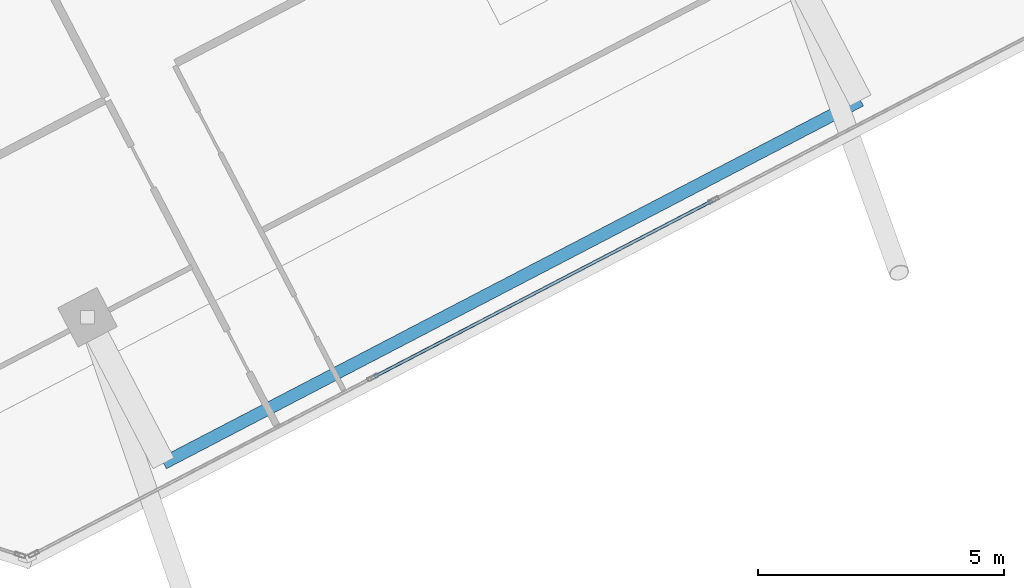
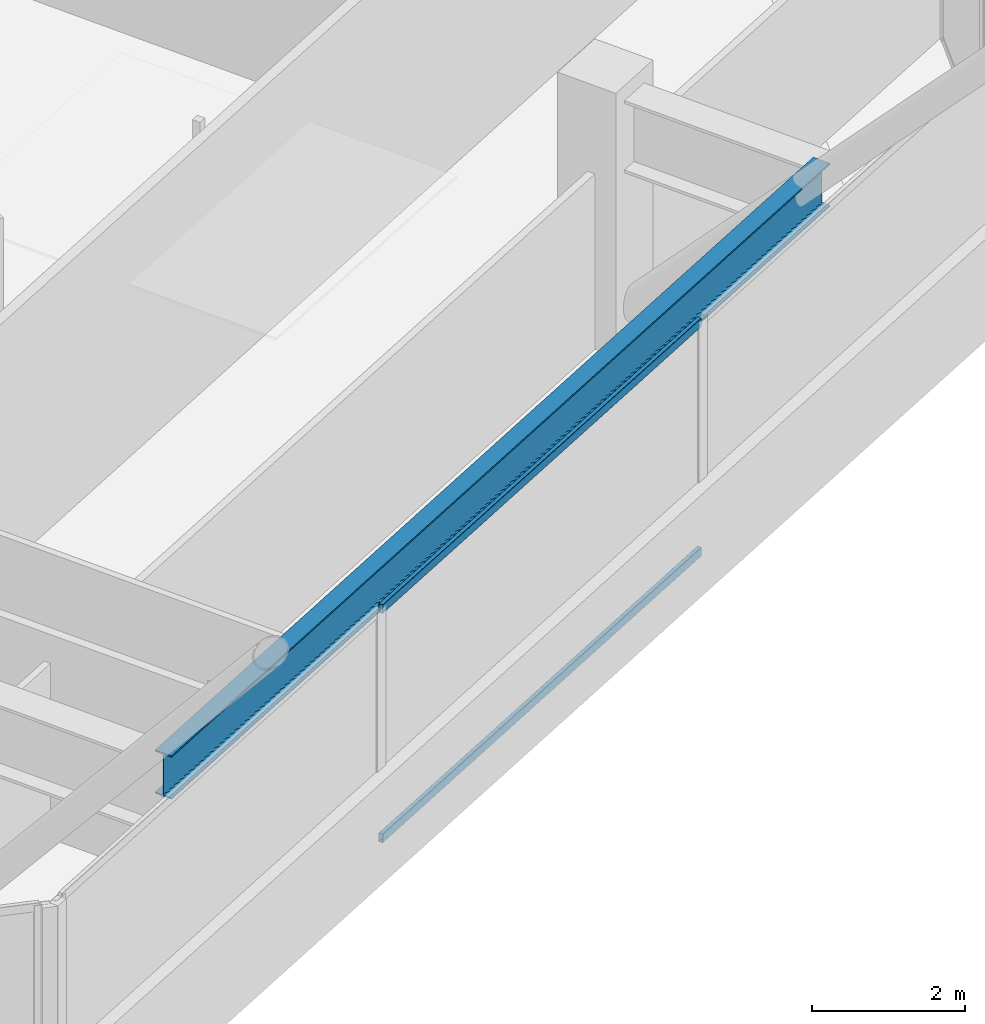
# One storey, part 4 of 17: 2 members, 1 beam, 1 element without a shape of its own.
"""IFC4 building model written with IfcOpenShell, lengths in metres."""

import ifcopenshell
import ifcopenshell.guid

model = None  # the IFC model being written
_history = None  # IfcOwnerHistory: only IFC2X3 demands one
_inside = {}  # id of a spatial element -> (the spatial element, [elements in it])
_under = {}  # id of a project, library or spatial element -> (it, [spatial elements below it])
_declared = {}  # id of a project -> (the project, [libraries it declares])
_typed = {}  # id of a type object -> (the type object, [elements of that type])
_made_of = {}  # id of a material, layer set ... -> (it, [elements and type objects made of it])


def new_model(schema):
    """Start an empty IFC model of exactly this schema.

    Asked for "IFC4X3", IfcOpenShell would pick the latest addendum, in which some entities
    have other attributes; the version numbers below select the first issue.
    IFC2X3 requires an IfcOwnerHistory on every rooted entity: one is made here for all.
    """
    global model, _history
    if schema == "IFC4X3":
        model = ifcopenshell.file(schema_version=(4, 3, 0, 0))
    else:
        model = ifcopenshell.file(schema=schema)
    _inside.clear()
    _under.clear()
    _declared.clear()
    _typed.clear()
    _made_of.clear()
    _history = None
    if model.schema == "IFC2X3":
        org = make("IfcOrganization", Name="unknown")
        user = make(
            "IfcPersonAndOrganization",
            ThePerson=make("IfcPerson", FamilyName="unknown"),
            TheOrganization=org,
        )
        app = make(
            "IfcApplication",
            ApplicationDeveloper=org,
            Version="unknown",
            ApplicationFullName="unknown",
            ApplicationIdentifier="unknown",
        )
        _history = make(
            "IfcOwnerHistory",
            OwningUser=user,
            OwningApplication=app,
            ChangeAction="ADDED",
            CreationDate=0,
        )
    return model


def make(cls, **values):
    """One entity of the class cls with the attributes given. An attribute that is None is left unset."""
    return model.create_entity(
        cls, **{name: value for name, value in values.items() if value is not None}
    )


def rooted(cls, **values):
    """An entity with a GlobalId (a new one), such as an element, a storey or a relation."""
    return make(cls, GlobalId=ifcopenshell.guid.new(), OwnerHistory=_history, **values)


def si_unit(unit_type, name, prefix=None):
    """IfcSIUnit, for example si_unit("LENGTHUNIT", "METRE", prefix="MILLI")."""
    return make("IfcSIUnit", UnitType=unit_type, Prefix=prefix, Name=name)


def assignment(units):
    """IfcUnitAssignment: the units of a project."""
    return None if units is None else make("IfcUnitAssignment", Units=units)


def point(xyz):
    """IfcCartesianPoint."""
    return None if xyz is None else make("IfcCartesianPoint", Coordinates=xyz)


def direction(xyz):
    """IfcDirection."""
    return None if xyz is None else make("IfcDirection", DirectionRatios=xyz)


def frame(location, z_axis=None, x_axis=None):
    """IfcAxis2Placement3D, a coordinate frame: its origin and axes. An axis left out is left unset."""
    return make(
        "IfcAxis2Placement3D",
        Location=point(location),
        Axis=direction(z_axis),
        RefDirection=direction(x_axis),
    )


def frame_2d(location, x_axis=None):
    """IfcAxis2Placement2D, a coordinate frame in the plane: its origin and x axis."""
    return make(
        "IfcAxis2Placement2D", Location=point(location), RefDirection=direction(x_axis)
    )


def origin():
    """The frame at (0, 0, 0) with its axes left unset."""
    return frame((0.0, 0.0, 0.0))


def origin_2d():
    """The frame at (0, 0) in the plane with its x axis left unset."""
    return frame_2d((0.0, 0.0))


def place(relative_to, where):
    """IfcLocalPlacement: puts the frame where relative to a parent placement (None: the world)."""
    return make(
        "IfcLocalPlacement", PlacementRelTo=relative_to, RelativePlacement=where
    )


def context(
    kind, dimensions, precision=None, world=None, true_north=None, identifier=None
):
    """IfcGeometricRepresentationContext, for example the 3D "Model" context."""
    return make(
        "IfcGeometricRepresentationContext",
        ContextIdentifier=identifier,
        ContextType=kind,
        CoordinateSpaceDimension=dimensions,
        Precision=precision,
        WorldCoordinateSystem=world,
        TrueNorth=true_north,
    )


def subcontext(parent, identifier, kind, view, scale=None):
    """IfcGeometricRepresentationSubContext, for example "Body" below "Model"."""
    return make(
        "IfcGeometricRepresentationSubContext",
        ContextIdentifier=identifier,
        ContextType=kind,
        ParentContext=parent,
        TargetScale=scale,
        TargetView=view,
    )


def project(units=None, contexts=None):
    """IfcProject with its units and contexts."""
    return rooted(
        "IfcProject",
        Name="project",
        RepresentationContexts=contexts,
        UnitsInContext=assignment(units),
    )


def spatial(cls, under=None, at=None, **own):
    """A site, building, storey or space (cls), placed at a placement, below another one or the project."""
    s = rooted(cls, ObjectPlacement=at, **own)
    if under is not None:
        _under.setdefault(under.id(), (under, []))[1].append(s)
    return s


def profile(cls, at=None, kind="AREA", **sizes):
    """A parametric profile (cls). Its sizes go by their IFC names, for example OverallWidth=200.0."""
    return make(cls, ProfileType=kind, Position=at, **sizes)


def hollow_rectangle(**sizes):
    """IfcRectangleHollowProfileDef."""
    return profile("IfcRectangleHollowProfileDef", **sizes)


def i_section(**sizes):
    """IfcIShapeProfileDef."""
    return profile("IfcIShapeProfileDef", **sizes)


def extrude(swept, where, along, depth):
    """IfcExtrudedAreaSolid: the profile swept, set in the frame where, extruded along a direction by depth."""
    return make(
        "IfcExtrudedAreaSolid",
        SweptArea=swept,
        Position=where,
        ExtrudedDirection=direction(along),
        Depth=depth,
    )


def shape(context_of_items, identifier, shape_type, items):
    """IfcShapeRepresentation: the items that make up one representation, for example the "Body"."""
    return make(
        "IfcShapeRepresentation",
        ContextOfItems=context_of_items,
        RepresentationIdentifier=identifier,
        RepresentationType=shape_type,
        Items=items,
    )


def source(mapping_origin, context_of_items, identifier, shape_type, items):
    """IfcRepresentationMap: a shape defined once, which mapped items show again and again."""
    return make(
        "IfcRepresentationMap",
        MappingOrigin=mapping_origin,
        MappedRepresentation=shape(context_of_items, identifier, shape_type, items),
    )


def transform(
    local_origin,
    x_axis=None,
    y_axis=None,
    z_axis=None,
    scale=None,
    scale2=None,
    scale3=None,
    uniform=True,
):
    """IfcCartesianTransformationOperator3D, or its non-uniform kind. x_axis, y_axis, z_axis: its Axis1, 2, 3."""
    if uniform:
        return make(
            "IfcCartesianTransformationOperator3D",
            Axis1=direction(x_axis),
            Axis2=direction(y_axis),
            LocalOrigin=point(local_origin),
            Scale=scale,
            Axis3=direction(z_axis),
        )
    return make(
        "IfcCartesianTransformationOperator3DnonUniform",
        Axis1=direction(x_axis),
        Axis2=direction(y_axis),
        LocalOrigin=point(local_origin),
        Scale=scale,
        Axis3=direction(z_axis),
        Scale2=scale2,
        Scale3=scale3,
    )


def mapped(mapping_source, mapping_target):
    """IfcMappedItem: shows the shape of a source again, moved by a transform."""
    return make(
        "IfcMappedItem", MappingSource=mapping_source, MappingTarget=mapping_target
    )


def material(Name=None, Category=None):
    """IfcMaterial."""
    return make("IfcMaterial", Name=Name, Category=Category)


def material_profile(
    of_material, cross_section, Name=None, Category=None, Priority=None
):
    """IfcMaterialProfile: a cross section and its material."""
    return make(
        "IfcMaterialProfile",
        Name=Name,
        Material=of_material,
        Profile=cross_section,
        Priority=Priority,
        Category=Category,
    )


def profile_set(profiles, Name=None, composite=None):
    """IfcMaterialProfileSet."""
    return make(
        "IfcMaterialProfileSet",
        Name=Name,
        MaterialProfiles=profiles,
        CompositeProfile=composite,
    )


def made_of(thing, what):
    """Note that an element or type object is made of a material, layer set ...; save() writes the relation."""
    if what is not None:
        _made_of.setdefault(what.id(), (what, []))[1].append(thing)
    return thing


def type_object(cls, material=None, **own):
    """A type object (cls), such as IfcWallType, which elements share."""
    return made_of(rooted(cls, **own), material)


def element(
    cls,
    number,
    at=None,
    inside=None,
    cuts=None,
    type_object=None,
    material=None,
    context=None,
    identifier="Body",
    shape_type=None,
    held_by="IfcProductDefinitionShape",
    body=None,
    shapes=None,
    **own,
):
    """One element of the class cls, such as IfcWall. Its Tag is "e" and its number.

    at: its placement. inside: the storey or other place that contains it. cuts: it is an
    opening in that element (IfcRelVoidsElement). A single representation is given by context,
    identifier, shape_type and body (its items); several are given by shapes. held_by: the class
    of the entity that holds the representations. save() writes the other relations.
    """
    e = rooted(cls, Tag="e%d" % number, ObjectPlacement=at, **own)
    if body is not None:
        shapes = [shape(context, identifier, shape_type, body)]
    if shapes is not None:
        e.Representation = make(held_by, Representations=shapes)
    if inside is not None:
        _inside.setdefault(inside.id(), (inside, []))[1].append(e)
    if cuts is not None:
        rooted(
            "IfcRelVoidsElement", RelatingBuildingElement=cuts, RelatedOpeningElement=e
        )
    if type_object is not None:
        _typed.setdefault(type_object.id(), (type_object, []))[1].append(e)
    return made_of(e, material)


def aggregate(whole, parts):
    """IfcRelAggregates: a whole, such as a stair, and the parts it consists of."""
    return rooted("IfcRelAggregates", RelatingObject=whole, RelatedObjects=parts)


def save(model, path):
    """Write the relations noted so far, then the file.

    IfcRelAggregates (storeys below a building ...), IfcRelContainedInSpatialStructure (elements
    in a storey), IfcRelDefinesByType, IfcRelAssociatesMaterial and IfcRelDeclares: one each for
    every whole, place, type object, material and project.
    """
    for whole, parts in _under.values():
        aggregate(whole, parts)
    for where, things in _inside.values():
        rooted(
            "IfcRelContainedInSpatialStructure",
            RelatedElements=things,
            RelatingStructure=where,
        )
    for kind, things in _typed.values():
        rooted("IfcRelDefinesByType", RelatedObjects=things, RelatingType=kind)
    for what, things in _made_of.values():
        rooted("IfcRelAssociatesMaterial", RelatedObjects=things, RelatingMaterial=what)
    for by, libraries in _declared.values():
        rooted("IfcRelDeclares", RelatingContext=by, RelatedDefinitions=libraries)
    model.write(path)


model = new_model("IFC4")

# Units and contexts
model_context = context("Model", 3, precision=1e-05, world=origin(), true_north=direction((0.0, 1.0)))
body_context = subcontext(model_context, "Body", "Model", "MODEL_VIEW")
ifc_project = project(units=[si_unit("LENGTHUNIT", "METRE"), si_unit("AREAUNIT", "SQUARE_METRE"), si_unit("VOLUMEUNIT", "CUBIC_METRE"), si_unit("PLANEANGLEUNIT", "RADIAN"), si_unit("MASSUNIT", "GRAM", prefix="KILO")], contexts=[model_context])

# Site, building, storey
site_placement = place(None, origin())
site = spatial("IfcSite", under=ifc_project, at=site_placement, CompositionType="ELEMENT")
building_placement = place(site_placement, origin())
building = spatial("IfcBuilding", under=site, at=building_placement, Name="Torre Montelarca", CompositionType="ELEMENT")
storey_placement = place(building_placement, frame((0.0, 0.0, 332.39990234375)))
storey = spatial("IfcBuildingStorey", under=building, at=storey_placement, Name="L75", CompositionType="ELEMENT", Elevation=332.39990234375)

# Beam
ifc_material_1 = material(Name="Steel ASTM A992 Grade 50", Category="steel")
ifc_material_profile_1 = material_profile(ifc_material_1, i_section(OverallWidth=0.256103515625, OverallDepth=0.693115234375, WebThickness=0.014404296875, FlangeThickness=0.023681640625, FilletRadius=0.01806640625, at=origin_2d()), Name="W690X170", Category="steel")
ifc_profile_set_1 = profile_set([ifc_material_profile_1], Name="Steel ASTM A992 Grade 50")
beam_type = type_object("IfcBeamType", Name="BM-G-W690-EXT", PredefinedType="BEAM", material=ifc_profile_set_1)
shared_shape_1 = source(origin(), body_context, "Body", "SweptSolid", [
    extrude(i_section(OverallWidth=0.256103515625, OverallDepth=0.693115234375, WebThickness=0.014404296875, FlangeThickness=0.023681640625, FilletRadius=0.01806640625, at=origin_2d()), origin(), (0.0, 0.0, 1.0), 16.000244140625),
])
beam_placement = place(storey_placement, frame((22.64599609375, 12.472900390625, 3.614013671875), z_axis=(0.88701460653, 0.461741364622, 0.0), x_axis=(-0.461741364622, 0.88701460653, 0.0)))
element("IfcBeam", 1, at=beam_placement, inside=storey, type_object=beam_type, Name="L75 Sliding Tray Edge Girder East 24-40m (FLR)", PredefinedType="BEAM", context=body_context, shape_type="MappedRepresentation", body=[
    mapped(shared_shape_1, transform((0.0, 0.0, 0.0), scale=1.0)),
])

# Curtain wall, members
ifc_material_2 = material(Name="Insulated low-E laminated glass", Category="glass")
curtain_wall_type = type_object("IfcCurtainWallType", Name="CW-SYS-Z4", PredefinedType="USERDEFINED", material=ifc_material_2)
curtain_wall_placement = place(storey_placement, origin())
curtain_wall = element("IfcCurtainWall", 2, at=curtain_wall_placement, inside=storey, type_object=curtain_wall_type, Name="L75 Curtain Wall Run CW-T3-L75-E06-B1", ObjectType="UNITISED GLAZING", PredefinedType="USERDEFINED")
ifc_material_3 = material(Name="Anodised aluminium AA 6063-T6", Category="aluminium")
ifc_material_profile_2 = material_profile(ifc_material_3, hollow_rectangle(XDim=0.06494140625, YDim=0.139892578125, WallThickness=0.00390625, InnerFilletRadius=0.00390625, OuterFilletRadius=0.008056640625, at=origin_2d()), Name="ALU65X140X4", Category="aluminium")
ifc_profile_set_2 = profile_set([ifc_material_profile_2], Name="Anodised aluminium AA 6063-T6")
member_type = type_object("IfcMemberType", Name="CWT-ALU140", PredefinedType="USERDEFINED", material=ifc_profile_set_2)
shared_shape_2 = source(origin(), body_context, "Body", "SweptSolid", [
    extrude(hollow_rectangle(XDim=0.06494140625, YDim=0.139892578125, WallThickness=0.00390625, InnerFilletRadius=0.00390625, OuterFilletRadius=0.008056640625, at=origin_2d()), origin(), (0.0, 0.0, 1.0), 7.748046875),
])
member_1_placement = place(storey_placement, frame((26.943359375, 14.236328125, 0.03271484375), z_axis=(0.887010348862, 0.461749543596, 0.0), x_axis=(-0.461749543596, 0.887010348862, 0.0)))
member_1 = element("IfcMember", 3, at=member_1_placement, type_object=member_type, Name="CW transom 2.1", ObjectType="TRANSOM", PredefinedType="USERDEFINED", context=body_context, shape_type="MappedRepresentation", body=[
    mapped(shared_shape_2, transform((0.0, 0.0, 0.0), scale=1.0)),
])
member_2_placement = place(storey_placement, frame((26.943359375, 14.236328125, 3.6875), z_axis=(0.887010348862, 0.461749543596, 0.0), x_axis=(-0.461749543596, 0.887010348862, 0.0)))
member_2 = element("IfcMember", 4, at=member_2_placement, type_object=member_type, Name="CW transom 2.2", ObjectType="TRANSOM", PredefinedType="USERDEFINED", context=body_context, shape_type="MappedRepresentation", body=[
    mapped(shared_shape_2, transform((0.0, 0.0, 0.0), scale=1.0)),
])
aggregate(curtain_wall, [member_1, member_2])

save(model, "model.ifc")
